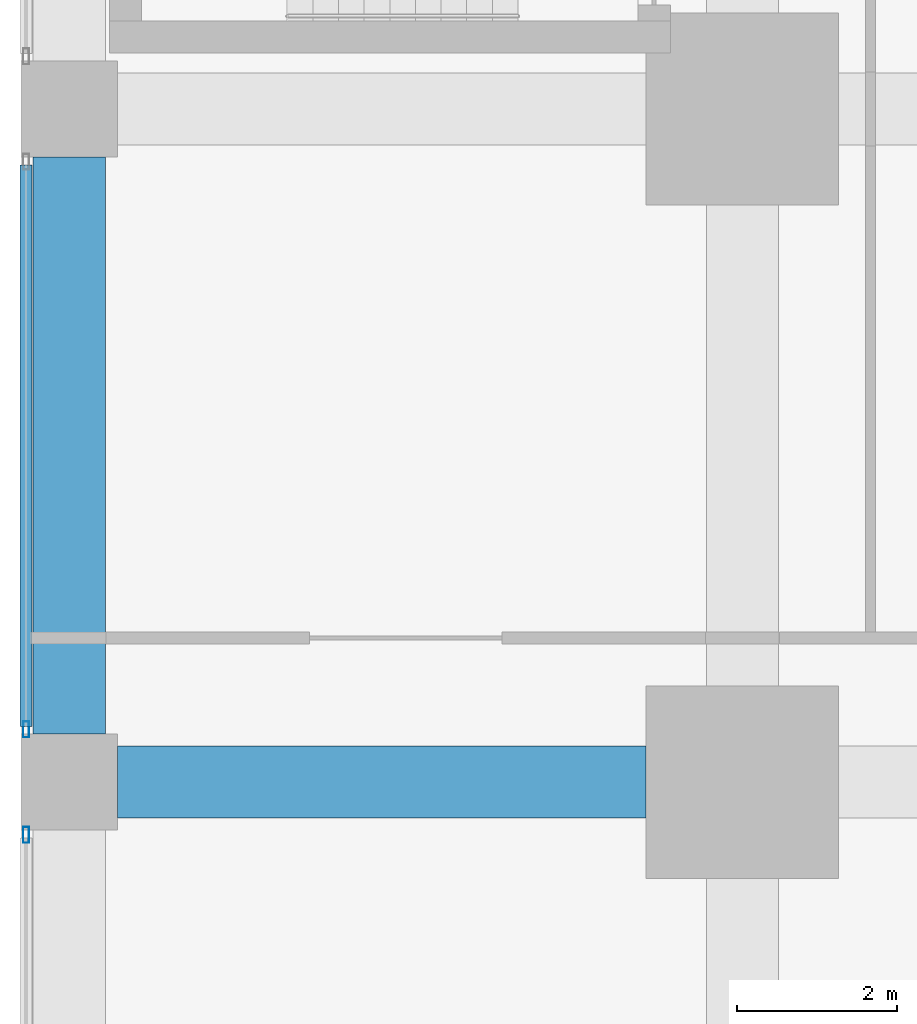
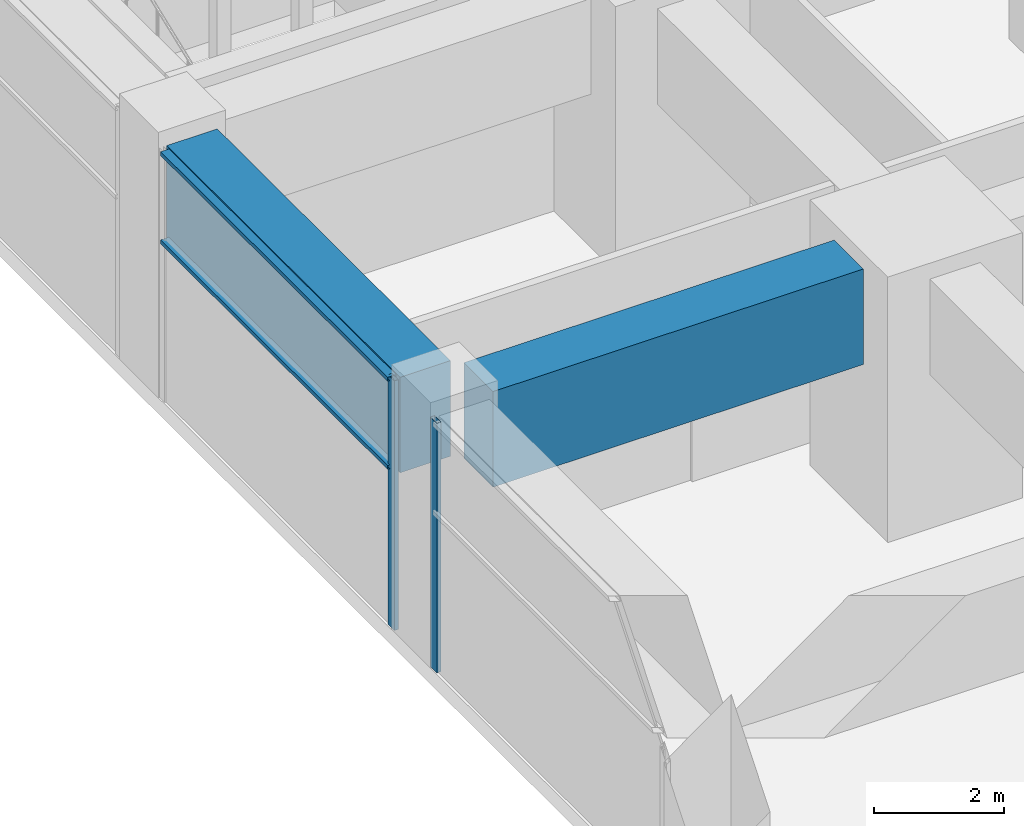
# One storey, part 9 of 49: 4 members, 2 beams, 2 elements without a shape of their own.
"""IFC4 building model written with IfcOpenShell, lengths in metres."""

from ifc_helpers import new_model, si_unit, direction, frame, origin, origin_2d, place, context, subcontext, project, spatial, rectangle, hollow_rectangle, extrude, material, material_profile, profile_set, type_object, element, aggregate, save


model = new_model("IFC4")

# Units and contexts
model_context = context("Model", 3, precision=1e-05, world=origin(), true_north=direction((0.0, 1.0)))
body_context = subcontext(model_context, "Body", "Model", "MODEL_VIEW")
ifc_project = project(units=[si_unit("LENGTHUNIT", "METRE"), si_unit("AREAUNIT", "SQUARE_METRE"), si_unit("VOLUMEUNIT", "CUBIC_METRE"), si_unit("PLANEANGLEUNIT", "RADIAN"), si_unit("MASSUNIT", "GRAM", prefix="KILO")], contexts=[model_context])

# Site, building, storey
site_placement = place(None, origin())
site = spatial("IfcSite", under=ifc_project, at=site_placement, CompositionType="ELEMENT")
building_placement = place(site_placement, origin())
building = spatial("IfcBuilding", under=site, at=building_placement, Name="Rekha Terrace Tower", CompositionType="ELEMENT")
storey_placement = place(building_placement, frame((0.0, 0.0, 5.39990234375)))
storey = spatial("IfcBuildingStorey", under=building, at=storey_placement, Name="L01", CompositionType="ELEMENT", Elevation=5.39990234375)

# Curtain wall, member
ifc_material_1 = material(Name="Aluminium framing", Category="aluminium")
curtain_wall_type = type_object("IfcCurtainWallType", Name="CW4 podium shopfront glazing", PredefinedType="USERDEFINED", material=ifc_material_1)
curtain_wall_1_placement = place(storey_placement, origin())
curtain_wall_1 = element("IfcCurtainWall", 1, at=curtain_wall_1_placement, inside=storey, type_object=curtain_wall_type, Name="CW4 shopfront curtain wall", ObjectType="SHOPFRONT CURTAIN WALL", PredefinedType="USERDEFINED")
ifc_material_2 = material(Name="Aluminium mullion section", Category="aluminium")
ifc_material_profile_1 = material_profile(ifc_material_2, hollow_rectangle(XDim=0.074951171875, YDim=0.199951171875, WallThickness=0.00390625, at=origin_2d()), Name="AL RHS 75x200")
ifc_profile_set_1 = profile_set([ifc_material_profile_1], Name="Aluminium mullion section")
member_type_1 = type_object("IfcMemberType", Name="CW4 mullion RHS 75 x 200", PredefinedType="MULLION", material=ifc_profile_set_1)
member_1_placement = place(storey_placement, frame((-0.5400390625, 17.45751953125, 0.0), z_axis=(0.0, 0.0, 1.0), x_axis=(1.0, 0.0, 0.0)))
member_1 = element("IfcMember", 2, at=member_1_placement, type_object=member_type_1, Name="CW4 mullion 2", PredefinedType="MULLION", context=body_context, shape_type="SweptSolid", body=[
    extrude(hollow_rectangle(XDim=0.074951171875, YDim=0.199951171875, WallThickness=0.00390625, at=origin_2d()), origin(), (0.0, 0.0, 1.0), 4.7001953125),
])

curtain_wall_2_placement = place(storey_placement, origin())
curtain_wall_2 = element("IfcCurtainWall", 3, at=curtain_wall_2_placement, inside=storey, type_object=curtain_wall_type, Name="CW4 shopfront curtain wall", ObjectType="SHOPFRONT CURTAIN WALL", PredefinedType="USERDEFINED")
member_2_placement = place(storey_placement, frame((-0.5400390625, 16.142578125, 0.0), z_axis=(0.0, 0.0, 1.0), x_axis=(1.0, 0.0, 0.0)))
member_2 = element("IfcMember", 4, at=member_2_placement, type_object=member_type_1, Name="CW4 mullion 1", PredefinedType="MULLION", context=body_context, shape_type="SweptSolid", body=[
    extrude(hollow_rectangle(XDim=0.074951171875, YDim=0.199951171875, WallThickness=0.00390625, at=origin_2d()), origin(), (0.0, 0.0, 1.0), 4.7001953125),
])
aggregate(curtain_wall_2, [member_2])

# Member
ifc_material_3 = material(Name="Aluminium transom section", Category="aluminium")
ifc_material_profile_2 = material_profile(ifc_material_3, hollow_rectangle(XDim=0.14990234375, YDim=0.074951171875, WallThickness=0.0029296875, at=origin_2d()), Name="AL RHS 150x75")
ifc_profile_set_2 = profile_set([ifc_material_profile_2], Name="Aluminium transom section")
member_type_2 = type_object("IfcMemberType", Name="CW4 transom RHS 75 x 150", PredefinedType="USERDEFINED", material=ifc_profile_set_2)
member_3_placement = place(storey_placement, frame((-0.5400390625, 24.5048828125, 3.0), z_axis=(0.0, -1.0, 0.0), x_axis=(1.0, 0.0, 0.0)))
member_3 = element("IfcMember", 5, at=member_3_placement, type_object=member_type_2, Name="CW4 transom 1.2", ObjectType="TRANSOM", PredefinedType="USERDEFINED", context=body_context, shape_type="SweptSolid", body=[
    extrude(hollow_rectangle(XDim=0.14990234375, YDim=0.074951171875, WallThickness=0.0029296875, at=origin_2d()), origin(), (0.0, 0.0, 1.0), 7.009765625),
])

member_4_placement = place(storey_placement, frame((-0.5400390625, 24.5048828125, 4.66259765625), z_axis=(0.0, -1.0, 0.0), x_axis=(1.0, 0.0, 0.0)))
member_4 = element("IfcMember", 6, at=member_4_placement, type_object=member_type_2, Name="CW4 transom 1.3", ObjectType="TRANSOM", PredefinedType="USERDEFINED", context=body_context, shape_type="SweptSolid", body=[
    extrude(hollow_rectangle(XDim=0.14990234375, YDim=0.074951171875, WallThickness=0.0029296875, at=origin_2d()), origin(), (0.0, 0.0, 1.0), 7.009765625),
])

aggregate(curtain_wall_1, [member_1, member_3, member_4])

# Beams
ifc_material_4 = material(Name="Concrete M60", Category="concrete")
ifc_material_profile_3 = material_profile(ifc_material_4, rectangle(XDim=0.89990234375, YDim=1.800048828125, at=origin_2d()), Name="RC 900x1800")
ifc_profile_set_3 = profile_set([ifc_material_profile_3], Name="Concrete M60")
beam_type = type_object("IfcBeamType", Name="G1 900x1800 podium floor beam", PredefinedType="BEAM", material=ifc_profile_set_3)
beam_1_placement = place(storey_placement, frame((0.60009765625, 16.800048828125, 3.800048828125), z_axis=(1.0, 0.0, 0.0), x_axis=(0.0, 1.0, 0.0)))
element("IfcBeam", 7, at=beam_1_placement, inside=storey, type_object=beam_type, Name="Beam G1 1C-2C under L02", PredefinedType="BEAM", context=body_context, shape_type="SweptSolid", body=[
    extrude(rectangle(XDim=0.89990234375, YDim=1.800048828125, at=origin_2d()), origin(), (0.0, 0.0, 1.0), 6.599853515625),
])
beam_2_placement = place(storey_placement, frame((0.0, 17.39990234375, 3.800048828125), z_axis=(0.0, 1.0, 0.0), x_axis=(-1.0, 0.0, 0.0)))
element("IfcBeam", 8, at=beam_2_placement, inside=storey, type_object=beam_type, Name="Beam G1 1C-1D under L02", PredefinedType="BEAM", context=body_context, shape_type="SweptSolid", body=[
    extrude(rectangle(XDim=0.89990234375, YDim=1.800048828125, at=origin_2d()), origin(), (0.0, 0.0, 1.0), 7.2001953125),
])

save(model, "model.ifc")
